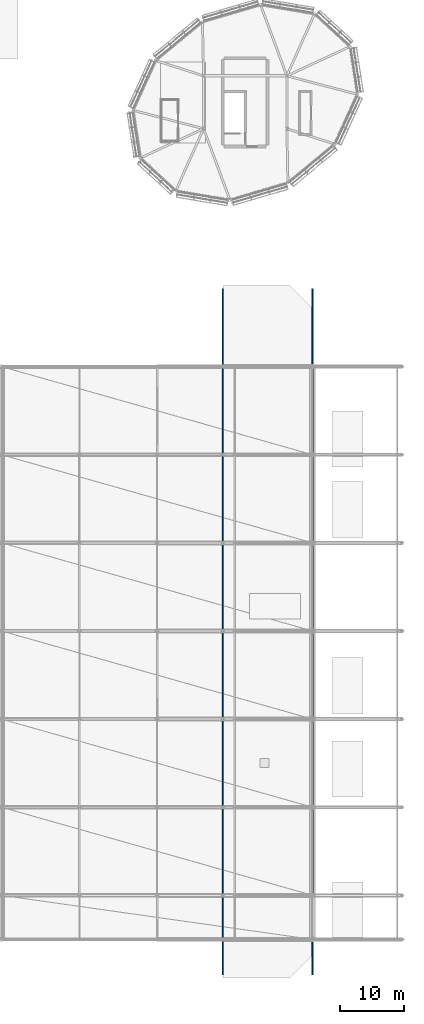
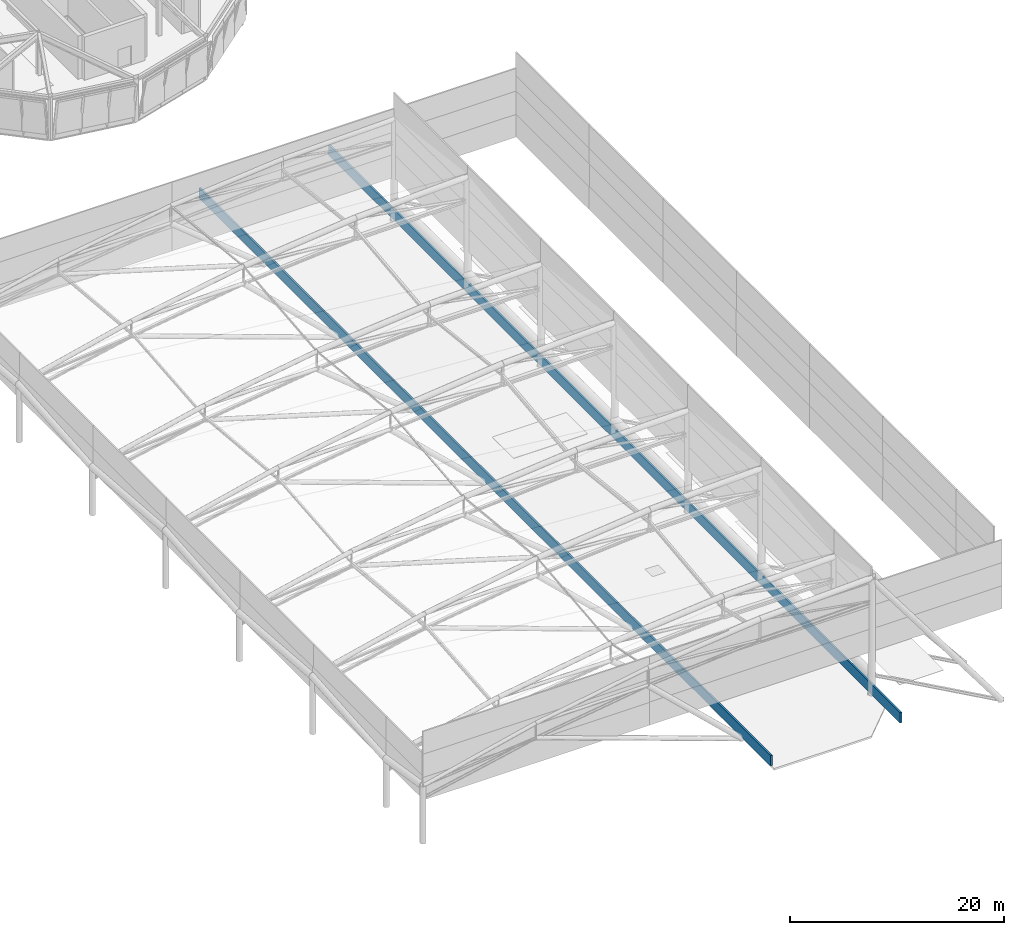
# One storey, part 102 of 113: 2 walls.
"""IFC4 building model written with IfcOpenShell, lengths in metres."""

from ifc_helpers import new_model, si_unit, direction, frame, frame_2d, origin, place, context, subcontext, project, spatial, rectangle, extrude, material, layer, layer_set, type_object, element, save


model = new_model("IFC4")

# Units and contexts
model_context = context("Model", 3, precision=1e-05, world=origin(), true_north=direction((0.0, 1.0)))
body_context = subcontext(model_context, "Body", "Model", "MODEL_VIEW")
ifc_project = project(units=[si_unit("LENGTHUNIT", "METRE"), si_unit("AREAUNIT", "SQUARE_METRE"), si_unit("VOLUMEUNIT", "CUBIC_METRE"), si_unit("PLANEANGLEUNIT", "RADIAN"), si_unit("MASSUNIT", "GRAM", prefix="KILO")], contexts=[model_context])

# Site, building, storey
site_placement = place(None, origin())
site = spatial("IfcSite", under=ifc_project, at=site_placement, CompositionType="ELEMENT")
building_placement = place(site_placement, origin())
building = spatial("IfcBuilding", under=site, at=building_placement, Name="Linyun Crest Stadium", CompositionType="ELEMENT")
storey_placement = place(building_placement, frame((0.0, 0.0, 26.39990234375)))
storey = spatial("IfcBuildingStorey", under=building, at=storey_placement, Name="L06", CompositionType="ELEMENT", Elevation=26.39990234375)

# Walls
ifc_material = material(Name="Precast concrete C40 terrace parapet", Category="concrete")
ifc_layer = layer(ifc_material, 0.195068359375)
ifc_layer_set = layer_set([ifc_layer], Name="Precast concrete C40 terrace parapet")
wall_type = type_object("IfcWallType", Name="PW02", PredefinedType="PARAPET", material=ifc_layer_set)
for number, where, z_axis, x_axis, name in (
    (1, (84.0, -51.5, 0.0), (0.0, 0.0, 1.0), (0.0, 1.0, 0.0), "Parapet PW02 L06 74"),
    (2, (70.0, -51.5, 0.0), (0.0, 0.0, 1.0), (0.0, 1.0, 0.0), "Parapet PW02 L06 75"),
):
    element("IfcWall", number, at=place(storey_placement, frame(where, z_axis=z_axis, x_axis=x_axis)), inside=storey, type_object=wall_type, Name=name, PredefinedType="PARAPET", context=body_context, shape_type="SweptSolid", body=[
        extrude(rectangle(XDim=107.0, YDim=0.195068359375, at=frame_2d((53.5, 0.0))), origin(), (0.0, 0.0, 1.0), 1.2001953125),
    ])

save(model, "model.ifc")
